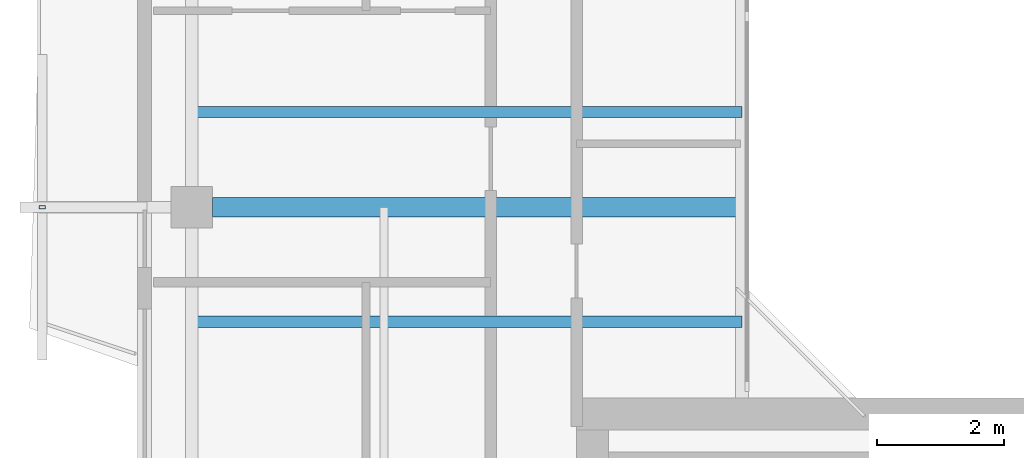
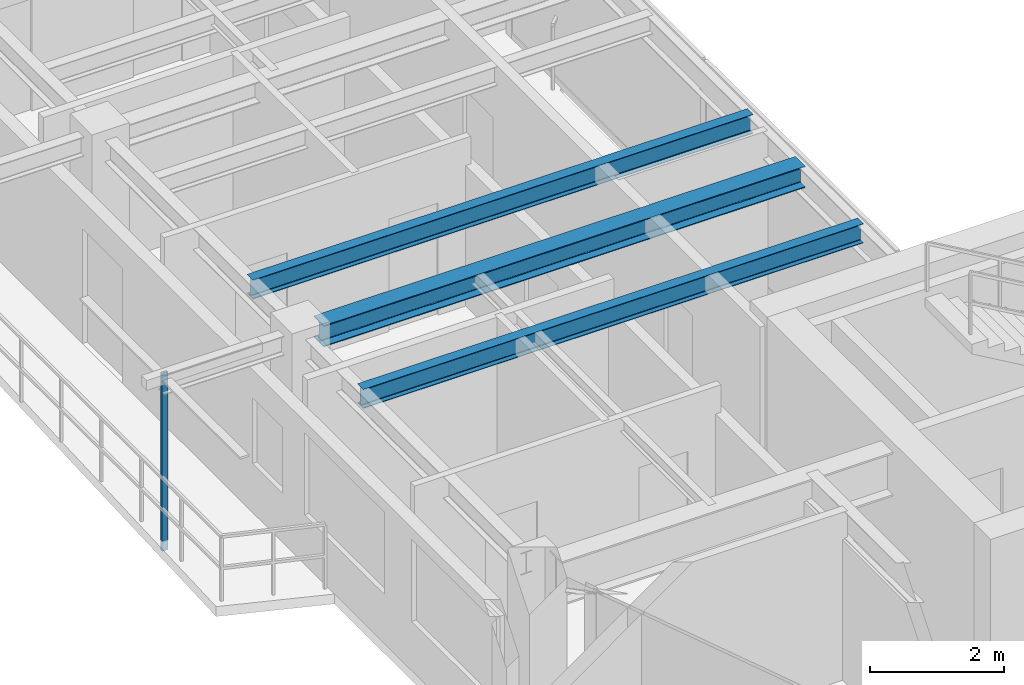
# One storey, part 3 of 15: 3 beams, 1 member.
"""IFC4 building model written with IfcOpenShell, lengths in metres."""

from ifc_helpers import new_model, si_unit, direction, frame, origin, origin_2d, place, context, subcontext, project, spatial, hollow_rectangle, i_section, extrude, source, transform, mapped, material, material_profile, profile_set, type_object, element, save


model = new_model("IFC4")

# Units and contexts
model_context = context("Model", 3, precision=1e-05, world=origin(), true_north=direction((0.0, 1.0)))
body_context = subcontext(model_context, "Body", "Model", "MODEL_VIEW")
ifc_project = project(units=[si_unit("LENGTHUNIT", "METRE"), si_unit("AREAUNIT", "SQUARE_METRE"), si_unit("VOLUMEUNIT", "CUBIC_METRE"), si_unit("PLANEANGLEUNIT", "RADIAN"), si_unit("MASSUNIT", "GRAM", prefix="KILO"), si_unit("THERMODYNAMICTEMPERATUREUNIT", "KELVIN"), si_unit("POWERUNIT", "WATT")], contexts=[model_context])

# Site, building, storey
site_placement = place(None, origin())
site = spatial("IfcSite", under=ifc_project, at=site_placement, CompositionType="ELEMENT")
building_placement = place(site_placement, origin())
building = spatial("IfcBuilding", under=site, at=building_placement, Name="Qiaomeng Ring Towers", CompositionType="ELEMENT")
storey_placement = place(building_placement, frame((0.0, 0.0, 256.75)))
storey = spatial("IfcBuildingStorey", under=building, at=storey_placement, Name="L75", CompositionType="ELEMENT", Elevation=256.75)

# Beams
ifc_material_1 = material(Name="Steel Q355B", Category="steel")
ifc_material_profile_1 = material_profile(ifc_material_1, i_section(OverallWidth=0.300048828125, OverallDepth=0.389892578125, WebThickness=0.010009765625, FlangeThickness=0.01611328125, FilletRadius=0.02197265625, at=origin_2d()), Name="HM 390x300x10x16")
ifc_profile_set_1 = profile_set([ifc_material_profile_1], Name="Steel Q355B")
beam_type_1 = type_object("IfcBeamType", Name="STR-BM-HM390", PredefinedType="BEAM", material=ifc_profile_set_1)
shared_shape_1 = source(origin(), body_context, "Body", "SweptSolid", [
    extrude(i_section(OverallWidth=0.300048828125, OverallDepth=0.389892578125, WebThickness=0.010009765625, FlangeThickness=0.01611328125, FilletRadius=0.02197265625, at=origin_2d()), origin(), (0.0, 0.0, 1.0), 8.325927734375),
])
beam_placement = place(storey_placement, frame((4.47412109375, 20.0, 2.875), z_axis=(1.0, 0.0, 0.0), x_axis=(0.0, 1.0, 0.0)))
element("IfcBeam", 1, at=beam_placement, inside=storey, type_object=beam_type_1, Name="L75 beam STR-BM-L75-T1-RAD-W2", PredefinedType="BEAM", context=body_context, shape_type="MappedRepresentation", body=[
    mapped(shared_shape_1, transform((0.0, 0.0, 0.0), x_axis=(1.0, 0.0, 0.0), y_axis=(0.0, 1.0, 0.0), z_axis=(0.0, 0.0, 1.0), scale=1.0)),
])
ifc_material_profile_2 = material_profile(ifc_material_1, i_section(OverallWidth=0.175048828125, OverallDepth=0.35009765625, WebThickness=0.007080078125, FlangeThickness=0.010986328125, FilletRadius=0.013916015625, at=origin_2d()), Name="HN 350x175x7x11")
ifc_profile_set_2 = profile_set([ifc_material_profile_2], Name="Steel Q355B")
beam_type_2 = type_object("IfcBeamType", Name="STR-BM-HN350", PredefinedType="JOIST", material=ifc_profile_set_2)
shared_shape_2 = source(origin(), body_context, "Body", "SweptSolid", [
    extrude(i_section(OverallWidth=0.175048828125, OverallDepth=0.35009765625, WebThickness=0.007080078125, FlangeThickness=0.010986328125, FilletRadius=0.013916015625, at=origin_2d()), origin(), (0.0, 0.0, 1.0), 8.650146484375),
])
for number, where, z_axis, x_axis, name in (
    (2, (4.14990234375, 18.199951171875, 2.89501953125), (1.0, 0.0, 0.0), (0.0, 1.0, 0.0), "L75 beam STR-JST-L75-T1W-1"),
    (3, (4.14990234375, 21.5, 2.89501953125), (1.0, 0.0, 0.0), (0.0, 1.0, 0.0), "L75 beam STR-JST-L75-T1W-2"),
):
    element("IfcBeam", number, at=place(storey_placement, frame(where, z_axis=z_axis, x_axis=x_axis)), inside=storey, type_object=beam_type_2, Name=name, PredefinedType="JOIST", context=body_context, shape_type="MappedRepresentation", body=[
        mapped(shared_shape_2, transform((0.0, 0.0, 0.0), x_axis=(1.0, 0.0, 0.0), y_axis=(0.0, 1.0, 0.0), z_axis=(0.0, 0.0, 1.0), scale=1.0)),
    ])

# Member
ifc_material_2 = material(Name="Stainless steel 316", Category="steel")
ifc_material_profile_3 = material_profile(ifc_material_2, hollow_rectangle(XDim=0.050048828125, YDim=0.10009765625, WallThickness=0.00390625, at=origin_2d()), Name="SS TRELLIS 100x50")
ifc_profile_set_3 = profile_set([ifc_material_profile_3], Name="Stainless steel 316")
member_type = type_object("IfcMemberType", Name="ARC-TR-POST2", PredefinedType="STUD", material=ifc_profile_set_3)
shared_shape_3 = source(origin(), body_context, "Body", "SweptSolid", [
    extrude(hollow_rectangle(XDim=0.050048828125, YDim=0.10009765625, WallThickness=0.00390625, at=origin_2d()), origin(), (0.0, 0.0, 1.0), 3.25),
])
member_placement = place(storey_placement, frame((1.800048828125, 20.0, -0.179931640625), z_axis=(0.0, 0.0, 1.0), x_axis=(0.0, 1.0, 0.0)))
element("IfcMember", 4, at=member_placement, inside=storey, type_object=member_type, Name="L75 Outer Ventilated Trellis Post W", PredefinedType="STUD", context=body_context, shape_type="MappedRepresentation", body=[
    mapped(shared_shape_3, transform((0.0, 0.0, 0.0), x_axis=(1.0, 0.0, 0.0), y_axis=(0.0, 1.0, 0.0), z_axis=(0.0, 0.0, 1.0), scale=1.0)),
])

save(model, "model.ifc")
